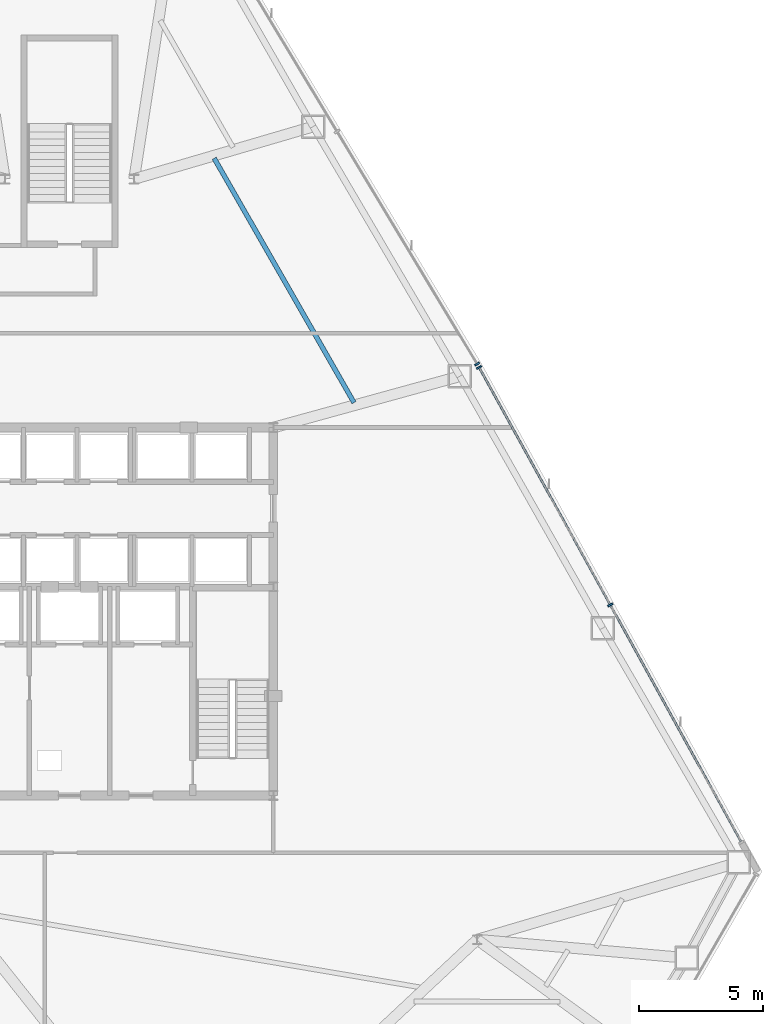
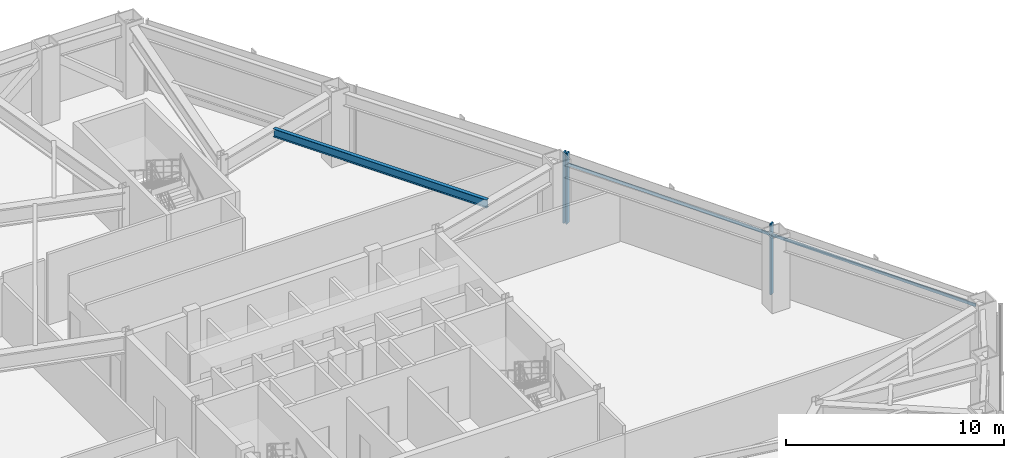
# One storey, part 7 of 13: 4 members, 1 beam, 2 elements without a shape of their own.
"""IFC4 building model written with IfcOpenShell, lengths in metres."""

from ifc_helpers import new_model, si_unit, direction, frame, origin, origin_2d, place, context, subcontext, project, spatial, rectangle, i_section, extrude, source, transform, mapped, material, layer, layer_set, material_profile, profile_set, type_object, type_shapes, element, aggregate, save


model = new_model("IFC4")

# Units and contexts
model_context = context("Model", 3, precision=1e-05, world=origin(), true_north=direction((0.0, 1.0)))
body_context = subcontext(model_context, "Body", "Model", "MODEL_VIEW")
ifc_project = project(units=[si_unit("LENGTHUNIT", "METRE"), si_unit("AREAUNIT", "SQUARE_METRE"), si_unit("VOLUMEUNIT", "CUBIC_METRE"), si_unit("PLANEANGLEUNIT", "RADIAN"), si_unit("MASSUNIT", "GRAM", prefix="KILO")], contexts=[model_context])

# Site, building, storey
site_placement = place(None, origin())
site = spatial("IfcSite", under=ifc_project, at=site_placement, CompositionType="ELEMENT")
building_placement = place(site_placement, origin())
building = spatial("IfcBuilding", under=site, at=building_placement, Name="Varakhsha Concourse Tower", CompositionType="ELEMENT")
storey_placement = place(building_placement, frame((0.0, 0.0, 111.800048828125)))
storey = spatial("IfcBuildingStorey", under=building, at=storey_placement, Name="L32", CompositionType="ELEMENT", Elevation=111.800048828125)

# Beam
ifc_material_1 = material(Name="Structural Steel ASTM A992 Grade 50", Category="steel")
ifc_material_profile_1 = material_profile(ifc_material_1, i_section(OverallWidth=0.19091796875, OverallDepth=0.45703125, WebThickness=0.009033203125, FlangeThickness=0.013916015625, at=origin_2d()), Name="W18X50")
ifc_profile_set_1 = profile_set([ifc_material_profile_1], Name="Structural Steel ASTM A992 Grade 50")
beam_type = type_object("IfcBeamType", Name="BM-JST-W18X50", PredefinedType="JOIST", material=ifc_profile_set_1)
beam_placement = place(storey_placement, frame((51.445556640625, 32.203857421875, 3.7314453125), z_axis=(-0.496591631038, 0.867984303996, 0.0), x_axis=(-0.867984303996, -0.496591631038, 0.0)))
element("IfcBeam", 1, at=beam_placement, inside=storey, type_object=beam_type, Name="BM-TJST-L32-17", PredefinedType="JOIST", context=body_context, shape_type="SweptSolid", body=[
    extrude(i_section(OverallWidth=0.19091796875, OverallDepth=0.45703125, WebThickness=0.009033203125, FlangeThickness=0.013916015625, at=origin_2d()), origin(), (0.0, 0.0, 1.0), 11.32373046875),
])

# Curtain wall, members
ifc_material_2 = material(Name="Anodised Bronze Architectural Aluminium AA 6063-T6", Category="aluminium")
ifc_layer = layer(ifc_material_2, 0.2099609375, Name="CW-SYS-04")
ifc_layer_set = layer_set([ifc_layer], Name="Anodised Bronze Architectural Aluminium AA 6063-T6")
curtain_wall_type = type_object("IfcCurtainWallType", Name="CW-SYS-04", PredefinedType="NOTDEFINED", material=ifc_layer_set)
curtain_wall_1_placement = place(storey_placement, origin())
curtain_wall_1 = element("IfcCurtainWall", 2, at=curtain_wall_1_placement, inside=storey, type_object=curtain_wall_type, Name="L32 Crystal Curtain Wall F8", PredefinedType="NOTDEFINED")
ifc_material_profile_2 = material_profile(ifc_material_2, rectangle(XDim=0.074951171875, YDim=0.219970703125, at=origin_2d()), Name="CWM-220X75")
ifc_profile_set_2 = profile_set([ifc_material_profile_2], Name="Anodised Bronze Architectural Aluminium AA 6063-T6")
member_type_1 = type_object("IfcMemberType", Name="CWM-220X75", PredefinedType="MULLION", material=ifc_profile_set_2)
shared_shape_1 = source(origin(), body_context, "Body", "SweptSolid", [
    extrude(rectangle(XDim=0.074951171875, YDim=0.219970703125, at=origin_2d()), origin(), (0.0, 0.0, 1.0), 3.9599609375),
])
type_shapes(member_type_1, [shared_shape_1])
member_1_placement = place(storey_placement, frame((56.4755859375, 33.623291015625, 0.0), z_axis=(0.0, 0.0, 1.0), x_axis=(0.483536006627, -0.875324471436, 0.0)))
member_1 = element("IfcMember", 3, at=member_1_placement, type_object=member_type_1, Name="CW-L32-F8 Mullion 00", PredefinedType="MULLION", context=body_context, shape_type="MappedRepresentation", body=[
    mapped(shared_shape_1, transform((0.0, 0.0, 0.0), scale=1.0)),
])
member_2_placement = place(storey_placement, frame((61.7548828125, 24.066162109375, 0.0), z_axis=(0.0, 0.0, 1.0), x_axis=(0.483536006627, -0.875324471436, 0.0)))
member_2 = element("IfcMember", 4, at=member_2_placement, type_object=member_type_1, Name="CW-L32-F8 Mullion 01", PredefinedType="MULLION", context=body_context, shape_type="MappedRepresentation", body=[
    mapped(shared_shape_1, transform((0.0, 0.0, 0.0), scale=1.0)),
])

# Curtain wall, member
curtain_wall_2_placement = place(storey_placement, origin())
curtain_wall_2 = element("IfcCurtainWall", 5, at=curtain_wall_2_placement, inside=storey, type_object=curtain_wall_type, Name="L32 Crystal Curtain Wall F9", PredefinedType="NOTDEFINED")
member_3_placement = place(storey_placement, frame((56.398681640625, 33.756591796875, 0.0), z_axis=(0.0, 0.0, 1.0), x_axis=(0.516289709685, -0.856413997827, 0.0)))
member_3 = element("IfcMember", 6, at=member_3_placement, type_object=member_type_1, Name="CW-L32-F9 Mullion 02", PredefinedType="MULLION", context=body_context, shape_type="MappedRepresentation", body=[
    mapped(shared_shape_1, transform((0.0, 0.0, 0.0), scale=1.0)),
])
aggregate(curtain_wall_2, [member_3])

# Member
ifc_material_profile_3 = material_profile(ifc_material_2, rectangle(XDim=0.06494140625, YDim=0.159912109375, at=origin_2d()), Name="CWT-160X65")
ifc_profile_set_3 = profile_set([ifc_material_profile_3], Name="Anodised Bronze Architectural Aluminium AA 6063-T6")
member_type_2 = type_object("IfcMemberType", Name="CWT-160X65", PredefinedType="USERDEFINED", material=ifc_profile_set_3)
shared_shape_2 = source(origin(), body_context, "Body", "SweptSolid", [
    extrude(rectangle(XDim=0.06494140625, YDim=0.159912109375, at=origin_2d()), origin(), (0.0, 0.0, 1.0), 21.83642578125),
])
type_shapes(member_type_2, [shared_shape_2])
member_4_placement = place(storey_placement, frame((56.4755859375, 33.623291015625, 3.31005859375), z_axis=(0.483531262571, -0.875327092073, 0.0), x_axis=(0.875327092073, 0.483531262571, 0.0)))
member_4 = element("IfcMember", 7, at=member_4_placement, type_object=member_type_2, Name="CW-L32-F8 Transom 01", ObjectType="TRANSOM", PredefinedType="USERDEFINED", context=body_context, shape_type="MappedRepresentation", body=[
    mapped(shared_shape_2, transform((0.0, 0.0, 0.0), scale=1.0)),
])

aggregate(curtain_wall_1, [member_1, member_2, member_4])

save(model, "model.ifc")
